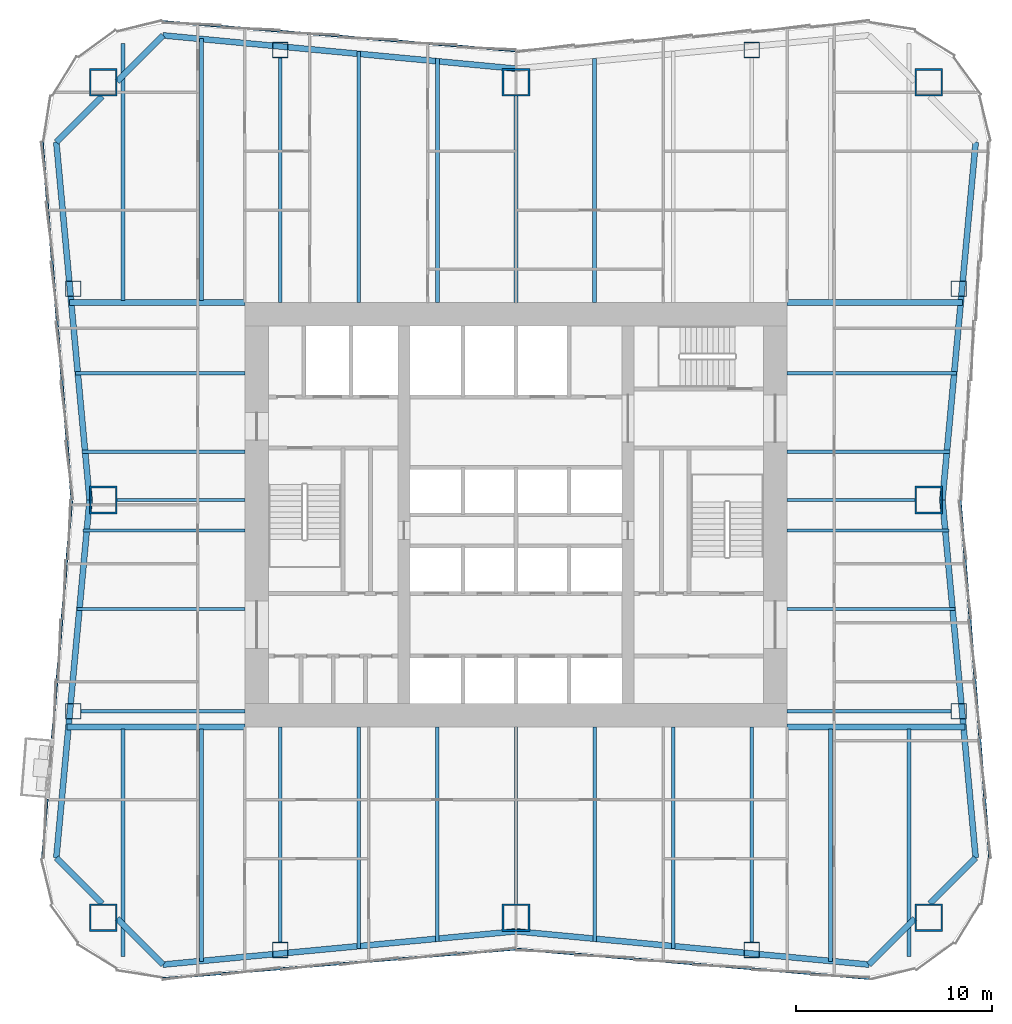
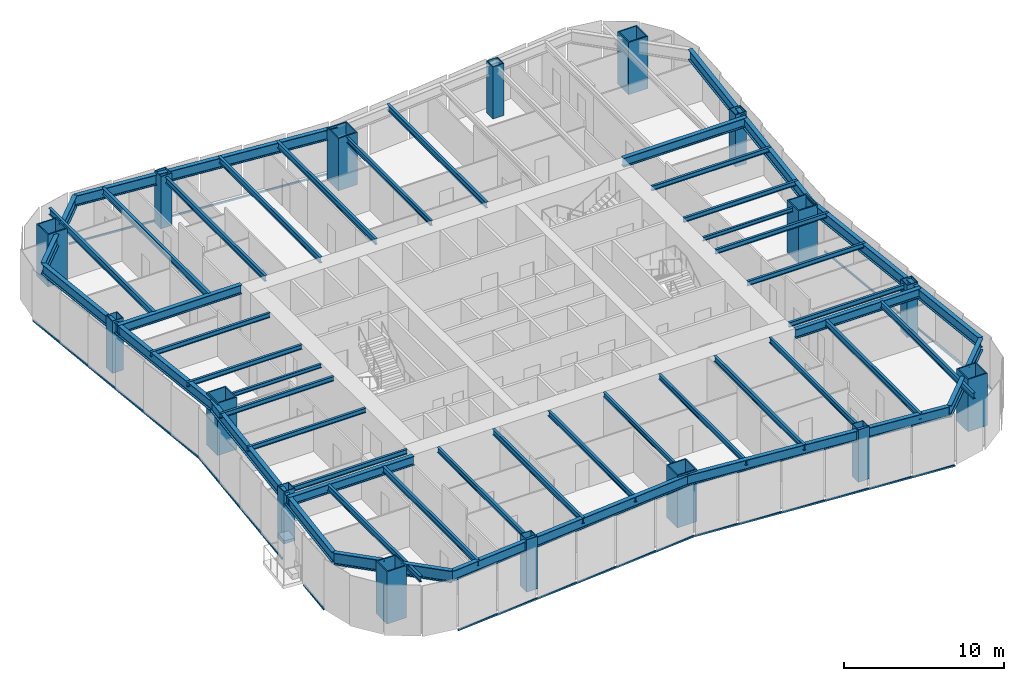
# One storey, part 1 of 9: 47 beams, 16 columns, 7 members, 4 elements without a shape of their own.
"""IFC4 building model written with IfcOpenShell, lengths in metres."""

from ifc_helpers import new_model, si_unit, direction, frame, origin, origin_2d, place, context, subcontext, project, spatial, rectangle, hollow_rectangle, i_section, extrude, material, material_profile, profile_set, type_object, element, aggregate, save


model = new_model("IFC4")

# Units and contexts
model_context = context("Model", 3, precision=1e-05, world=origin(), true_north=direction((0.0, 1.0)))
body_context = subcontext(model_context, "Body", "Model", "MODEL_VIEW")
ifc_project = project(units=[si_unit("LENGTHUNIT", "METRE"), si_unit("AREAUNIT", "SQUARE_METRE"), si_unit("VOLUMEUNIT", "CUBIC_METRE"), si_unit("PLANEANGLEUNIT", "RADIAN"), si_unit("MASSUNIT", "GRAM", prefix="KILO")], contexts=[model_context])

# Site, building, storey
site_placement = place(None, origin())
site = spatial("IfcSite", under=ifc_project, at=site_placement, CompositionType="ELEMENT")
building_placement = place(site_placement, origin())
building = spatial("IfcBuilding", under=site, at=building_placement, Name="Verdant Reach Tower", CompositionType="ELEMENT")
storey_placement = place(building_placement, frame((0.0, 0.0, 78.0)))
storey = spatial("IfcBuildingStorey", under=building, at=storey_placement, Name="L17", CompositionType="ELEMENT", Elevation=78.0)

# Columns
ifc_material_1 = material(Name="Steel S460", Category="steel")
ifc_material_profile_1 = material_profile(ifc_material_1, hollow_rectangle(XDim=1.39990234375, YDim=1.39990234375, WallThickness=0.080078125, at=origin_2d()), Name="WB 1400x1400x80")
ifc_profile_set_1 = profile_set([ifc_material_profile_1], Name="Steel S460")
column_type_1 = type_object("IfcColumnType", Name="ST-COL-WB1400x1400x80", PredefinedType="COLUMN", material=ifc_profile_set_1)
for number, where, z_axis, x_axis, name in (
    (1, (-21.0, 50.0, 0.0), (0.0, 0.0, 1.0), (1.0, 0.0, 0.0), "Mega column north-west, L17"),
    (2, (0.0, 50.0, 0.0), (0.0, 0.0, 1.0), (1.0, 0.0, 0.0), "Mega column north, L17"),
    (3, (21.0, 50.0, 0.0), (0.0, 0.0, 1.0), (1.0, 0.0, 0.0), "Mega column north-east, L17"),
    (4, (21.0, 28.75, 0.0), (0.0, 0.0, 1.0), (1.0, 0.0, 0.0), "Mega column east, L17"),
    (5, (21.0, 7.5, 0.0), (0.0, 0.0, 1.0), (1.0, 0.0, 0.0), "Mega column south-east, L17"),
    (6, (0.0, 7.5, 0.0), (0.0, 0.0, 1.0), (1.0, 0.0, 0.0), "Mega column south, L17"),
    (7, (-21.0, 7.5, 0.0), (0.0, 0.0, 1.0), (1.0, 0.0, 0.0), "Mega column south-west, L17"),
    (8, (-21.0, 28.75, 0.0), (0.0, 0.0, 1.0), (1.0, 0.0, 0.0), "Mega column west, L17"),
):
    element("IfcColumn", number, at=place(storey_placement, frame(where, z_axis=z_axis, x_axis=x_axis)), inside=storey, type_object=column_type_1, Name=name, PredefinedType="COLUMN", context=body_context, shape_type="SweptSolid", body=[
        extrude(hollow_rectangle(XDim=1.39990234375, YDim=1.39990234375, WallThickness=0.080078125, at=origin_2d()), origin(), (0.0, 0.0, 1.0), 4.0),
    ])
ifc_material_profile_2 = material_profile(ifc_material_1, hollow_rectangle(XDim=0.800048828125, YDim=0.800048828125, WallThickness=0.0400390625, at=origin_2d()), Name="WB 800x800x40")
ifc_profile_set_2 = profile_set([ifc_material_profile_2], Name="Steel S460")
column_type_2 = type_object("IfcColumnType", Name="ST-COL-WB800x800x40", PredefinedType="COLUMN", material=ifc_profile_set_2)
for number, where, z_axis, x_axis, name in (
    (9, (-12.0, 51.64990234375, 0.0), (0.0, 0.0, 1.0), (1.0, 0.0, 0.0), "Perimeter column north 1, L17"),
    (10, (12.0, 51.64990234375, 0.0), (0.0, 0.0, 1.0), (1.0, 0.0, 0.0), "Perimeter column north 2, L17"),
    (11, (-12.0, 5.85009765625, 0.0), (0.0, 0.0, 1.0), (1.0, 0.0, 0.0), "Perimeter column south 1, L17"),
    (12, (12.0, 5.85009765625, 0.0), (0.0, 0.0, 1.0), (1.0, 0.0, 0.0), "Perimeter column south 2, L17"),
    (13, (22.53369140625, 18.0, 0.0), (0.0, 0.0, 1.0), (1.0, 0.0, 0.0), "Perimeter column east 1, L17"),
    (14, (22.53369140625, 39.5, 0.0), (0.0, 0.0, 1.0), (1.0, 0.0, 0.0), "Perimeter column east 2, L17"),
    (15, (-22.53369140625, 18.0, 0.0), (0.0, 0.0, 1.0), (1.0, 0.0, 0.0), "Perimeter column west 1, L17"),
    (16, (-22.53369140625, 39.5, 0.0), (0.0, 0.0, 1.0), (1.0, 0.0, 0.0), "Perimeter column west 2, L17"),
):
    element("IfcColumn", number, at=place(storey_placement, frame(where, z_axis=z_axis, x_axis=x_axis)), inside=storey, type_object=column_type_2, Name=name, PredefinedType="COLUMN", context=body_context, shape_type="SweptSolid", body=[
        extrude(hollow_rectangle(XDim=0.800048828125, YDim=0.800048828125, WallThickness=0.0400390625, at=origin_2d()), origin(), (0.0, 0.0, 1.0), 4.0),
    ])

# Curtain wall, member
ifc_material_2 = material(Name="Anodised aluminium", Category="aluminium")
curtain_wall_type = type_object("IfcCurtainWallType", Name="EN-CW SYSTEM Z1", PredefinedType="NOTDEFINED", material=ifc_material_2)
curtain_wall_1_placement = place(storey_placement, origin())
curtain_wall_1 = element("IfcCurtainWall", 17, at=curtain_wall_1_placement, inside=storey, type_object=curtain_wall_type, Name="Curtain wall east, L17", PredefinedType="NOTDEFINED")
ifc_material_profile_3 = material_profile(ifc_material_2, rectangle(XDim=0.10009765625, YDim=0.1220703125, at=origin_2d()), Name="Transom 122x100")
ifc_profile_set_3 = profile_set([ifc_material_profile_3], Name="Anodised aluminium")
member_type = type_object("IfcMemberType", Name="EN-TRANSOM Z1", PredefinedType="USERDEFINED", material=ifc_profile_set_3)
member_1_placement = place(storey_placement, frame((24.100341796875, 10.52490234375, -0.2890625), z_axis=(-0.081886623329, 0.996641651207, 0.0), x_axis=(-0.996641651207, -0.081886623329, 0.0)))
member_1 = element("IfcMember", 18, at=member_1_placement, type_object=member_type, Name="Transom east face part 1 1.1, L17", ObjectType="TRANSOM", PredefinedType="USERDEFINED", context=body_context, shape_type="SweptSolid", body=[
    extrude(rectangle(XDim=0.10009765625, YDim=0.1220703125, at=origin_2d()), origin(), (0.0, 0.0, 1.0), 18.25537109375),
])
aggregate(curtain_wall_1, [member_1])

curtain_wall_2_placement = place(storey_placement, origin())
curtain_wall_2 = element("IfcCurtainWall", 19, at=curtain_wall_2_placement, inside=storey, type_object=curtain_wall_type, Name="Curtain wall north, L17", PredefinedType="NOTDEFINED")
member_2_placement = place(storey_placement, frame((-0.031005859375, 51.60546875, -0.2890625), z_axis=(-0.996547815143, 0.083020793384, 0.0), x_axis=(-0.083020793384, -0.996547815143, 0.0)))
member_2 = element("IfcMember", 20, at=member_2_placement, type_object=member_type, Name="Transom north face part 2 1.1, L17", ObjectType="TRANSOM", PredefinedType="USERDEFINED", context=body_context, shape_type="SweptSolid", body=[
    extrude(rectangle(XDim=0.10009765625, YDim=0.1220703125, at=origin_2d()), origin(), (0.0, 0.0, 1.0), 18.006103515625),
])
aggregate(curtain_wall_2, [member_2])

# Curtain wall, members
curtain_wall_3_placement = place(storey_placement, origin())
curtain_wall_3 = element("IfcCurtainWall", 21, at=curtain_wall_3_placement, inside=storey, type_object=curtain_wall_type, Name="Curtain wall west, L17", PredefinedType="NOTDEFINED")
member_3_placement = place(storey_placement, frame((-24.100341796875, 46.97509765625, -0.2890625), z_axis=(0.081886623329, -0.996641651207, 0.0), x_axis=(0.996641651207, 0.081886623329, 0.0)))
member_3 = element("IfcMember", 22, at=member_3_placement, type_object=member_type, Name="Transom west face part 1 1.1, L17", ObjectType="TRANSOM", PredefinedType="USERDEFINED", context=body_context, shape_type="SweptSolid", body=[
    extrude(rectangle(XDim=0.10009765625, YDim=0.1220703125, at=origin_2d()), origin(), (0.0, 0.0, 1.0), 18.25537109375),
])
member_4_placement = place(storey_placement, frame((-22.60546875, 28.718994140625, -0.2890625), z_axis=(-0.081948400518, -0.996636573507, 0.0), x_axis=(0.996636573507, -0.081948400518, 0.0)))
member_4 = element("IfcMember", 23, at=member_4_placement, type_object=member_type, Name="Transom west face part 2 1.1, L17", ObjectType="TRANSOM", PredefinedType="USERDEFINED", context=body_context, shape_type="SweptSolid", body=[
    extrude(rectangle(XDim=0.10009765625, YDim=0.1220703125, at=origin_2d()), origin(), (0.0, 0.0, 1.0), 12.13720703125),
])
member_5_placement = place(storey_placement, frame((-23.855224609375, 13.519287109375, -0.2890625), z_axis=(-0.081586055135, -0.996666301029, 0.0), x_axis=(0.996666301029, -0.081586055135, 0.0)))
member_5 = element("IfcMember", 24, at=member_5_placement, type_object=member_type, Name="Transom west face part 2 2.1, L17", ObjectType="TRANSOM", PredefinedType="USERDEFINED", context=body_context, shape_type="SweptSolid", body=[
    extrude(rectangle(XDim=0.10009765625, YDim=0.1220703125, at=origin_2d()), origin(), (0.0, 0.0, 1.0), 3.00439453125),
])
aggregate(curtain_wall_3, [member_3, member_4, member_5])

curtain_wall_4_placement = place(storey_placement, origin())
curtain_wall_4 = element("IfcCurtainWall", 25, at=curtain_wall_4_placement, inside=storey, type_object=curtain_wall_type, Name="Curtain wall south, L17", PredefinedType="NOTDEFINED")
member_6_placement = place(storey_placement, frame((-17.974853515625, 4.399658203125, -0.2890625), z_axis=(0.996547815143, 0.083020793384, 0.0), x_axis=(-0.083020793384, 0.996547815143, 0.0)))
member_6 = element("IfcMember", 26, at=member_6_placement, type_object=member_type, Name="Transom south face part 1 1.1, L17", ObjectType="TRANSOM", PredefinedType="USERDEFINED", context=body_context, shape_type="SweptSolid", body=[
    extrude(rectangle(XDim=0.10009765625, YDim=0.1220703125, at=origin_2d()), origin(), (0.0, 0.0, 1.0), 18.006103515625),
])
member_7_placement = place(storey_placement, frame((0.031005859375, 5.89453125, -0.2890625), z_axis=(0.996547815143, -0.083020793384, 0.0), x_axis=(0.083020793384, 0.996547815143, 0.0)))
member_7 = element("IfcMember", 27, at=member_7_placement, type_object=member_type, Name="Transom south face part 2 1.1, L17", ObjectType="TRANSOM", PredefinedType="USERDEFINED", context=body_context, shape_type="SweptSolid", body=[
    extrude(rectangle(XDim=0.10009765625, YDim=0.1220703125, at=origin_2d()), origin(), (0.0, 0.0, 1.0), 18.006103515625),
])
aggregate(curtain_wall_4, [member_6, member_7])

# Beams
ifc_material_3 = material(Name="Steel S355", Category="steel")
ifc_material_profile_4 = material_profile(ifc_material_3, i_section(OverallWidth=0.300048828125, OverallDepth=0.699951171875, WebThickness=0.01708984375, FlangeThickness=0.031982421875, FilletRadius=0.027099609375, at=origin_2d()), Name="HEB 700")
ifc_profile_set_4 = profile_set([ifc_material_profile_4], Name="Steel S355")
beam_type_1 = type_object("IfcBeamType", Name="ST-BEAM-HEB700", PredefinedType="BEAM", material=ifc_profile_set_4)
for number, where, z_axis, x_axis, name in (
    (28, (13.800048828125, 38.800048828125, 3.52001953125), (1.0, 0.0, 0.0), (0.0, 1.0, 0.0), "Trimmer beam, L17"),
    (29, (-13.800048828125, 38.800048828125, 3.52001953125), (-1.0, 0.0, 0.0), (0.0, -1.0, 0.0), "Trimmer beam, L17"),
):
    element("IfcBeam", number, at=place(storey_placement, frame(where, z_axis=z_axis, x_axis=x_axis)), inside=storey, type_object=beam_type_1, Name=name, PredefinedType="BEAM", context=body_context, shape_type="SweptSolid", body=[
        extrude(i_section(OverallWidth=0.300048828125, OverallDepth=0.699951171875, WebThickness=0.01708984375, FlangeThickness=0.031982421875, FilletRadius=0.027099609375, at=origin_2d()), origin(), (0.0, 0.0, 1.0), 8.924072265625),
    ])
for number, where, z_axis, x_axis, name in (
    (30, (13.800048828125, 17.199951171875, 3.52001953125), (1.0, 0.0, 0.0), (0.0, 1.0, 0.0), "Trimmer beam, L17"),
    (31, (-13.800048828125, 17.199951171875, 3.52001953125), (-1.0, 0.0, 0.0), (0.0, -1.0, 0.0), "Trimmer beam, L17"),
):
    element("IfcBeam", number, at=place(storey_placement, frame(where, z_axis=z_axis, x_axis=x_axis)), inside=storey, type_object=beam_type_1, Name=name, PredefinedType="BEAM", context=body_context, shape_type="SweptSolid", body=[
        extrude(i_section(OverallWidth=0.300048828125, OverallDepth=0.699951171875, WebThickness=0.01708984375, FlangeThickness=0.031982421875, FilletRadius=0.027099609375, at=origin_2d()), origin(), (0.0, 0.0, 1.0), 9.04736328125),
    ])
ifc_material_profile_5 = material_profile(ifc_material_3, i_section(OverallWidth=0.14990234375, OverallDepth=0.300048828125, WebThickness=0.007080078125, FlangeThickness=0.0107421875, FilletRadius=0.014892578125, at=origin_2d()), Name="IPE 300")
ifc_profile_set_5 = profile_set([ifc_material_profile_5], Name="Steel S355")
beam_type_2 = type_object("IfcBeamType", Name="ST-JOIST-IPE300", PredefinedType="JOIST", material=ifc_profile_set_5)
for number, where, z_axis, x_axis, name in (
    (32, (13.800048828125, 28.75, 3.719970703125), (1.0, 0.0, 0.0), (0.0, 1.0, 0.0), "Floor joist, L17"),
    (33, (-13.800048828125, 28.75, 3.719970703125), (-1.0, 0.0, 0.0), (0.0, -1.0, 0.0), "Floor joist, L17"),
):
    element("IfcBeam", number, at=place(storey_placement, frame(where, z_axis=z_axis, x_axis=x_axis)), inside=storey, type_object=beam_type_2, Name=name, PredefinedType="JOIST", context=body_context, shape_type="SweptSolid", body=[
        extrude(i_section(OverallWidth=0.14990234375, OverallDepth=0.300048828125, WebThickness=0.007080078125, FlangeThickness=0.0107421875, FilletRadius=0.014892578125, at=origin_2d()), origin(), (0.0, 0.0, 1.0), 6.5),
    ])
ifc_material_profile_6 = material_profile(ifc_material_3, i_section(OverallWidth=0.169921875, OverallDepth=0.360107421875, WebThickness=0.008056640625, FlangeThickness=0.0126953125, FilletRadius=0.01806640625, at=origin_2d()), Name="IPE 360")
ifc_profile_set_6 = profile_set([ifc_material_profile_6], Name="Steel S355")
beam_type_3 = type_object("IfcBeamType", Name="ST-JOIST-IPE360", PredefinedType="JOIST", material=ifc_profile_set_6)
beam_1_placement = place(storey_placement, frame((0.0, 17.199951171875, 3.68994140625), z_axis=(0.0, -1.0, 0.0), x_axis=(1.0, 0.0, 0.0)))
element("IfcBeam", 34, at=beam_1_placement, inside=storey, type_object=beam_type_3, Name="Floor joist, L17", PredefinedType="JOIST", context=body_context, shape_type="SweptSolid", body=[
    extrude(i_section(OverallWidth=0.169921875, OverallDepth=0.360107421875, WebThickness=0.008056640625, FlangeThickness=0.0126953125, FilletRadius=0.01806640625, at=origin_2d()), origin(), (0.0, 0.0, 1.0), 9.0),
])
for number, where, z_axis, x_axis, name in (
    (35, (13.800048828125, 18.0, 3.68994140625), (1.0, 0.0, 0.0), (0.0, 1.0, 0.0), "Floor joist, L17"),
    (36, (-13.800048828125, 18.0, 3.68994140625), (-1.0, 0.0, 0.0), (0.0, -1.0, 0.0), "Floor joist, L17"),
):
    element("IfcBeam", number, at=place(storey_placement, frame(where, z_axis=z_axis, x_axis=x_axis)), inside=storey, type_object=beam_type_3, Name=name, PredefinedType="JOIST", context=body_context, shape_type="SweptSolid", body=[
        extrude(i_section(OverallWidth=0.169921875, OverallDepth=0.360107421875, WebThickness=0.008056640625, FlangeThickness=0.0126953125, FilletRadius=0.01806640625, at=origin_2d()), origin(), (0.0, 0.0, 1.0), 8.33349609375),
    ])
for number, where, z_axis, x_axis, name in (
    (37, (13.800048828125, 23.199951171875, 3.68994140625), (1.0, 0.0, 0.0), (0.0, 1.0, 0.0), "Floor joist, L17"),
    (38, (-13.800048828125, 23.199951171875, 3.68994140625), (-1.0, 0.0, 0.0), (0.0, -1.0, 0.0), "Floor joist, L17"),
):
    element("IfcBeam", number, at=place(storey_placement, frame(where, z_axis=z_axis, x_axis=x_axis)), inside=storey, type_object=beam_type_3, Name=name, PredefinedType="JOIST", context=body_context, shape_type="SweptSolid", body=[
        extrude(i_section(OverallWidth=0.169921875, OverallDepth=0.360107421875, WebThickness=0.008056640625, FlangeThickness=0.0126953125, FilletRadius=0.01806640625, at=origin_2d()), origin(), (0.0, 0.0, 1.0), 8.553955078125),
    ])
for number, where, z_axis, x_axis, name in (
    (39, (13.800048828125, 27.199951171875, 3.68994140625), (1.0, 0.0, 0.0), (0.0, 1.0, 0.0), "Floor joist, L17"),
    (40, (-13.800048828125, 27.199951171875, 3.68994140625), (-1.0, 0.0, 0.0), (0.0, -1.0, 0.0), "Floor joist, L17"),
):
    element("IfcBeam", number, at=place(storey_placement, frame(where, z_axis=z_axis, x_axis=x_axis)), inside=storey, type_object=beam_type_3, Name=name, PredefinedType="JOIST", context=body_context, shape_type="SweptSolid", body=[
        extrude(i_section(OverallWidth=0.169921875, OverallDepth=0.360107421875, WebThickness=0.008056640625, FlangeThickness=0.0126953125, FilletRadius=0.01806640625, at=origin_2d()), origin(), (0.0, 0.0, 1.0), 8.225341796875),
    ])
for number, where, z_axis, x_axis, name in (
    (41, (13.800048828125, 31.199951171875, 3.68994140625), (1.0, 0.0, 0.0), (0.0, 1.0, 0.0), "Floor joist, L17"),
    (42, (-13.800048828125, 31.199951171875, 3.68994140625), (-1.0, 0.0, 0.0), (0.0, -1.0, 0.0), "Floor joist, L17"),
):
    element("IfcBeam", number, at=place(storey_placement, frame(where, z_axis=z_axis, x_axis=x_axis)), inside=storey, type_object=beam_type_3, Name=name, PredefinedType="JOIST", context=body_context, shape_type="SweptSolid", body=[
        extrude(i_section(OverallWidth=0.169921875, OverallDepth=0.360107421875, WebThickness=0.008056640625, FlangeThickness=0.0126953125, FilletRadius=0.01806640625, at=origin_2d()), origin(), (0.0, 0.0, 1.0), 8.29931640625),
    ])
for number, where, z_axis, x_axis, name in (
    (43, (13.800048828125, 35.199951171875, 3.68994140625), (1.0, 0.0, 0.0), (0.0, 1.0, 0.0), "Floor joist, L17"),
    (44, (-13.800048828125, 35.199951171875, 3.68994140625), (-1.0, 0.0, 0.0), (0.0, -1.0, 0.0), "Floor joist, L17"),
):
    element("IfcBeam", number, at=place(storey_placement, frame(where, z_axis=z_axis, x_axis=x_axis)), inside=storey, type_object=beam_type_3, Name=name, PredefinedType="JOIST", context=body_context, shape_type="SweptSolid", body=[
        extrude(i_section(OverallWidth=0.169921875, OverallDepth=0.360107421875, WebThickness=0.008056640625, FlangeThickness=0.0126953125, FilletRadius=0.01806640625, at=origin_2d()), origin(), (0.0, 0.0, 1.0), 8.6279296875),
    ])
ifc_material_profile_7 = material_profile(ifc_material_3, i_section(OverallWidth=0.179931640625, OverallDepth=0.39990234375, WebThickness=0.008544921875, FlangeThickness=0.013427734375, FilletRadius=0.02099609375, at=origin_2d()), Name="IPE 400")
ifc_profile_set_7 = profile_set([ifc_material_profile_7], Name="Steel S355")
beam_type_4 = type_object("IfcBeamType", Name="ST-JOIST-IPE400", PredefinedType="JOIST", material=ifc_profile_set_7)
beam_2_placement = place(storey_placement, frame((-12.0, 17.199951171875, 3.669921875), z_axis=(0.0, -1.0, 0.0), x_axis=(1.0, 0.0, 0.0)))
element("IfcBeam", 45, at=beam_2_placement, inside=storey, type_object=beam_type_4, Name="Floor joist, L17", PredefinedType="JOIST", context=body_context, shape_type="SweptSolid", body=[
    extrude(i_section(OverallWidth=0.179931640625, OverallDepth=0.39990234375, WebThickness=0.008544921875, FlangeThickness=0.013427734375, FilletRadius=0.02099609375, at=origin_2d()), origin(), (0.0, 0.0, 1.0), 10.949951171875),
])
beam_3_placement = place(storey_placement, frame((-4.0, 17.199951171875, 3.669921875), z_axis=(0.0, -1.0, 0.0), x_axis=(1.0, 0.0, 0.0)))
element("IfcBeam", 46, at=beam_3_placement, inside=storey, type_object=beam_type_4, Name="Floor joist, L17", PredefinedType="JOIST", context=body_context, shape_type="SweptSolid", body=[
    extrude(i_section(OverallWidth=0.179931640625, OverallDepth=0.39990234375, WebThickness=0.008544921875, FlangeThickness=0.013427734375, FilletRadius=0.02099609375, at=origin_2d()), origin(), (0.0, 0.0, 1.0), 10.93115234375),
])
beam_4_placement = place(storey_placement, frame((0.0, 38.800048828125, 3.669921875), z_axis=(0.0, 1.0, 0.0), x_axis=(-1.0, 0.0, 0.0)))
element("IfcBeam", 47, at=beam_4_placement, inside=storey, type_object=beam_type_4, Name="Floor joist, L17", PredefinedType="JOIST", context=body_context, shape_type="SweptSolid", body=[
    extrude(i_section(OverallWidth=0.179931640625, OverallDepth=0.39990234375, WebThickness=0.008544921875, FlangeThickness=0.013427734375, FilletRadius=0.02099609375, at=origin_2d()), origin(), (0.0, 0.0, 1.0), 10.5),
])
beam_5_placement = place(storey_placement, frame((4.0, 17.199951171875, 3.669921875), z_axis=(0.0, -1.0, 0.0), x_axis=(1.0, 0.0, 0.0)))
element("IfcBeam", 48, at=beam_5_placement, inside=storey, type_object=beam_type_4, Name="Floor joist, L17", PredefinedType="JOIST", context=body_context, shape_type="SweptSolid", body=[
    extrude(i_section(OverallWidth=0.179931640625, OverallDepth=0.39990234375, WebThickness=0.008544921875, FlangeThickness=0.013427734375, FilletRadius=0.02099609375, at=origin_2d()), origin(), (0.0, 0.0, 1.0), 10.93115234375),
])
beam_6_placement = place(storey_placement, frame((12.0, 17.199951171875, 3.669921875), z_axis=(0.0, -1.0, 0.0), x_axis=(1.0, 0.0, 0.0)))
element("IfcBeam", 49, at=beam_6_placement, inside=storey, type_object=beam_type_4, Name="Floor joist, L17", PredefinedType="JOIST", context=body_context, shape_type="SweptSolid", body=[
    extrude(i_section(OverallWidth=0.179931640625, OverallDepth=0.39990234375, WebThickness=0.008544921875, FlangeThickness=0.013427734375, FilletRadius=0.02099609375, at=origin_2d()), origin(), (0.0, 0.0, 1.0), 10.949951171875),
])
ifc_material_profile_8 = material_profile(ifc_material_3, i_section(OverallWidth=0.18994140625, OverallDepth=0.449951171875, WebThickness=0.009521484375, FlangeThickness=0.0146484375, FilletRadius=0.02099609375, at=origin_2d()), Name="IPE 450")
ifc_profile_set_8 = profile_set([ifc_material_profile_8], Name="Steel S355")
beam_type_5 = type_object("IfcBeamType", Name="ST-JOIST-IPE450", PredefinedType="JOIST", material=ifc_profile_set_8)
beam_7_placement = place(storey_placement, frame((-20.0, 17.10009765625, 3.64501953125), z_axis=(0.0, -1.0, 0.0), x_axis=(1.0, 0.0, 0.0)))
element("IfcBeam", 50, at=beam_7_placement, inside=storey, type_object=beam_type_5, Name="Floor joist, L17", PredefinedType="JOIST", context=body_context, shape_type="SweptSolid", body=[
    extrude(i_section(OverallWidth=0.18994140625, OverallDepth=0.449951171875, WebThickness=0.009521484375, FlangeThickness=0.0146484375, FilletRadius=0.02099609375, at=origin_2d()), origin(), (0.0, 0.0, 1.0), 11.590576171875),
])
beam_8_placement = place(storey_placement, frame((-16.0, 17.10009765625, 3.64501953125), z_axis=(0.0, -1.0, 0.0), x_axis=(1.0, 0.0, 0.0)))
element("IfcBeam", 51, at=beam_8_placement, inside=storey, type_object=beam_type_5, Name="Floor joist, L17", PredefinedType="JOIST", context=body_context, shape_type="SweptSolid", body=[
    extrude(i_section(OverallWidth=0.18994140625, OverallDepth=0.449951171875, WebThickness=0.009521484375, FlangeThickness=0.0146484375, FilletRadius=0.02099609375, at=origin_2d()), origin(), (0.0, 0.0, 1.0), 11.831298828125),
])
beam_9_placement = place(storey_placement, frame((-12.0, 38.800048828125, 3.64501953125), z_axis=(0.0, 1.0, 0.0), x_axis=(-1.0, 0.0, 0.0)))
element("IfcBeam", 52, at=beam_9_placement, inside=storey, type_object=beam_type_5, Name="Floor joist, L17", PredefinedType="JOIST", context=body_context, shape_type="SweptSolid", body=[
    extrude(i_section(OverallWidth=0.18994140625, OverallDepth=0.449951171875, WebThickness=0.009521484375, FlangeThickness=0.0146484375, FilletRadius=0.02099609375, at=origin_2d()), origin(), (0.0, 0.0, 1.0), 12.449951171875),
])
beam_10_placement = place(storey_placement, frame((-8.0, 38.800048828125, 3.64501953125), z_axis=(0.0, 1.0, 0.0), x_axis=(-1.0, 0.0, 0.0)))
element("IfcBeam", 53, at=beam_10_placement, inside=storey, type_object=beam_type_5, Name="Floor joist, L17", PredefinedType="JOIST", context=body_context, shape_type="SweptSolid", body=[
    extrude(i_section(OverallWidth=0.18994140625, OverallDepth=0.449951171875, WebThickness=0.009521484375, FlangeThickness=0.0146484375, FilletRadius=0.02099609375, at=origin_2d()), origin(), (0.0, 0.0, 1.0), 12.7646484375),
])
beam_11_placement = place(storey_placement, frame((-8.0, 17.199951171875, 3.64501953125), z_axis=(0.0, -1.0, 0.0), x_axis=(1.0, 0.0, 0.0)))
element("IfcBeam", 54, at=beam_11_placement, inside=storey, type_object=beam_type_5, Name="Floor joist, L17", PredefinedType="JOIST", context=body_context, shape_type="SweptSolid", body=[
    extrude(i_section(OverallWidth=0.18994140625, OverallDepth=0.449951171875, WebThickness=0.009521484375, FlangeThickness=0.0146484375, FilletRadius=0.02099609375, at=origin_2d()), origin(), (0.0, 0.0, 1.0), 11.2646484375),
])
for number, where, z_axis, x_axis, name in (
    (55, (-4.0, 38.800048828125, 3.64501953125), (0.0, 1.0, 0.0), (-1.0, 0.0, 0.0), "Floor joist, L17"),
    (56, (4.0, 38.800048828125, 3.64501953125), (0.0, 1.0, 0.0), (-1.0, 0.0, 0.0), "Floor joist, L17"),
):
    element("IfcBeam", number, at=place(storey_placement, frame(where, z_axis=z_axis, x_axis=x_axis)), inside=storey, type_object=beam_type_5, Name=name, PredefinedType="JOIST", context=body_context, shape_type="SweptSolid", body=[
        extrude(i_section(OverallWidth=0.18994140625, OverallDepth=0.449951171875, WebThickness=0.009521484375, FlangeThickness=0.0146484375, FilletRadius=0.02099609375, at=origin_2d()), origin(), (0.0, 0.0, 1.0), 12.43115234375),
    ])
beam_12_placement = place(storey_placement, frame((8.0, 17.199951171875, 3.64501953125), z_axis=(0.0, -1.0, 0.0), x_axis=(1.0, 0.0, 0.0)))
element("IfcBeam", 57, at=beam_12_placement, inside=storey, type_object=beam_type_5, Name="Floor joist, L17", PredefinedType="JOIST", context=body_context, shape_type="SweptSolid", body=[
    extrude(i_section(OverallWidth=0.18994140625, OverallDepth=0.449951171875, WebThickness=0.009521484375, FlangeThickness=0.0146484375, FilletRadius=0.02099609375, at=origin_2d()), origin(), (0.0, 0.0, 1.0), 11.2646484375),
])
beam_13_placement = place(storey_placement, frame((16.0, 17.10009765625, 3.64501953125), z_axis=(0.0, -1.0, 0.0), x_axis=(1.0, 0.0, 0.0)))
element("IfcBeam", 58, at=beam_13_placement, inside=storey, type_object=beam_type_5, Name="Floor joist, L17", PredefinedType="JOIST", context=body_context, shape_type="SweptSolid", body=[
    extrude(i_section(OverallWidth=0.18994140625, OverallDepth=0.449951171875, WebThickness=0.009521484375, FlangeThickness=0.0146484375, FilletRadius=0.02099609375, at=origin_2d()), origin(), (0.0, 0.0, 1.0), 11.831298828125),
])
beam_14_placement = place(storey_placement, frame((20.0, 17.10009765625, 3.64501953125), z_axis=(0.0, -1.0, 0.0), x_axis=(1.0, 0.0, 0.0)))
element("IfcBeam", 59, at=beam_14_placement, inside=storey, type_object=beam_type_5, Name="Floor joist, L17", PredefinedType="JOIST", context=body_context, shape_type="SweptSolid", body=[
    extrude(i_section(OverallWidth=0.18994140625, OverallDepth=0.449951171875, WebThickness=0.009521484375, FlangeThickness=0.0146484375, FilletRadius=0.02099609375, at=origin_2d()), origin(), (0.0, 0.0, 1.0), 11.590576171875),
])
ifc_material_profile_9 = material_profile(ifc_material_3, i_section(OverallWidth=0.199951171875, OverallDepth=0.5, WebThickness=0.01025390625, FlangeThickness=0.01611328125, FilletRadius=0.02099609375, at=origin_2d()), Name="IPE 500")
ifc_profile_set_9 = profile_set([ifc_material_profile_9], Name="Steel S355")
beam_type_6 = type_object("IfcBeamType", Name="ST-JOIST-IPE500", PredefinedType="JOIST", material=ifc_profile_set_9)
beam_15_placement = place(storey_placement, frame((-20.0, 38.89990234375, 3.6201171875), z_axis=(0.0, 1.0, 0.0), x_axis=(-1.0, 0.0, 0.0)))
element("IfcBeam", 60, at=beam_15_placement, inside=storey, type_object=beam_type_6, Name="Floor joist, L17", PredefinedType="JOIST", context=body_context, shape_type="SweptSolid", body=[
    extrude(i_section(OverallWidth=0.199951171875, OverallDepth=0.5, WebThickness=0.01025390625, FlangeThickness=0.01611328125, FilletRadius=0.02099609375, at=origin_2d()), origin(), (0.0, 0.0, 1.0), 13.090576171875),
])
beam_16_placement = place(storey_placement, frame((-16.0, 38.89990234375, 3.6201171875), z_axis=(0.0, 1.0, 0.0), x_axis=(-1.0, 0.0, 0.0)))
element("IfcBeam", 61, at=beam_16_placement, inside=storey, type_object=beam_type_6, Name="Floor joist, L17", PredefinedType="JOIST", context=body_context, shape_type="SweptSolid", body=[
    extrude(i_section(OverallWidth=0.199951171875, OverallDepth=0.5, WebThickness=0.01025390625, FlangeThickness=0.01611328125, FilletRadius=0.02099609375, at=origin_2d()), origin(), (0.0, 0.0, 1.0), 13.331298828125),
])
ifc_material_profile_10 = material_profile(ifc_material_3, i_section(OverallWidth=0.300048828125, OverallDepth=0.800048828125, WebThickness=0.017578125, FlangeThickness=0.032958984375, FilletRadius=0.030029296875, at=origin_2d()), Name="HEB 800")
ifc_profile_set_10 = profile_set([ifc_material_profile_10], Name="Steel S355")
beam_type_7 = type_object("IfcBeamType", Name="ST-SPANDREL-HEB800", PredefinedType="SPANDREL", material=ifc_profile_set_10)
for number, where, z_axis, x_axis, name in (
    (62, (17.9658203125, 5.10498046875, 3.469970703125), (-0.995578571765, 0.093932462137, 0.0), (-0.093932462137, -0.995578571765, 0.0), "Edge beam, L17"),
    (63, (0.0, 6.800048828125, 3.469970703125), (-0.995578571765, -0.093932462137, 0.0), (0.093932462137, -0.995578571765, 0.0), "Edge beam, L17"),
):
    element("IfcBeam", number, at=place(storey_placement, frame(where, z_axis=z_axis, x_axis=x_axis)), inside=storey, type_object=beam_type_7, Name=name, PredefinedType="SPANDREL", context=body_context, shape_type="SweptSolid", body=[
        extrude(i_section(OverallWidth=0.300048828125, OverallDepth=0.800048828125, WebThickness=0.017578125, FlangeThickness=0.032958984375, FilletRadius=0.030029296875, at=origin_2d()), origin(), (0.0, 0.0, 1.0), 18.045654296875),
    ])
for number, where, z_axis, x_axis, name in (
    (64, (-23.39501953125, 10.53466796875, 3.469970703125), (0.092656907618, 0.995698095544, 0.0), (-0.995698095544, 0.092656907618, 0.0), "Edge beam, L17"),
    (65, (-21.699951171875, 28.75, 3.469970703125), (-0.092656907618, 0.995698095544, 0.0), (-0.995698095544, -0.092656907618, 0.0), "Edge beam, L17"),
):
    element("IfcBeam", number, at=place(storey_placement, frame(where, z_axis=z_axis, x_axis=x_axis)), inside=storey, type_object=beam_type_7, Name=name, PredefinedType="SPANDREL", context=body_context, shape_type="SweptSolid", body=[
        extrude(i_section(OverallWidth=0.300048828125, OverallDepth=0.800048828125, WebThickness=0.017578125, FlangeThickness=0.032958984375, FilletRadius=0.030029296875, at=origin_2d()), origin(), (0.0, 0.0, 1.0), 18.2939453125),
    ])
beam_17_placement = place(storey_placement, frame((-17.9658203125, 52.39501953125, 3.469970703125), z_axis=(0.995578571765, -0.093932462137, 0.0), x_axis=(0.093932462137, 0.995578571765, 0.0)))
element("IfcBeam", 66, at=beam_17_placement, inside=storey, type_object=beam_type_7, Name="Edge beam, L17", PredefinedType="SPANDREL", context=body_context, shape_type="SweptSolid", body=[
    extrude(i_section(OverallWidth=0.300048828125, OverallDepth=0.800048828125, WebThickness=0.017578125, FlangeThickness=0.032958984375, FilletRadius=0.030029296875, at=origin_2d()), origin(), (0.0, 0.0, 1.0), 18.045654296875),
])
for number, where, z_axis, x_axis, name in (
    (67, (23.39501953125, 46.96533203125, 3.469970703125), (-0.092656907618, -0.995698095544, 0.0), (0.995698095544, -0.092656907618, 0.0), "Edge beam, L17"),
    (68, (21.699951171875, 28.75, 3.469970703125), (0.092656907618, -0.995698095544, 0.0), (0.995698095544, 0.092656907618, 0.0), "Edge beam, L17"),
):
    element("IfcBeam", number, at=place(storey_placement, frame(where, z_axis=z_axis, x_axis=x_axis)), inside=storey, type_object=beam_type_7, Name=name, PredefinedType="SPANDREL", context=body_context, shape_type="SweptSolid", body=[
        extrude(i_section(OverallWidth=0.300048828125, OverallDepth=0.800048828125, WebThickness=0.017578125, FlangeThickness=0.032958984375, FilletRadius=0.030029296875, at=origin_2d()), origin(), (0.0, 0.0, 1.0), 18.2939453125),
    ])
ifc_material_profile_11 = material_profile(ifc_material_3, i_section(OverallWidth=0.302001953125, OverallDepth=0.909912109375, WebThickness=0.02099609375, FlangeThickness=0.0400390625, FilletRadius=0.030029296875, at=origin_2d()), Name="HEM 900")
ifc_profile_set_11 = profile_set([ifc_material_profile_11], Name="Steel S355")
beam_type_8 = type_object("IfcBeamType", Name="ST-SPANDREL-HEM900", PredefinedType="SPANDREL", material=ifc_profile_set_11)
beam_18_placement = place(storey_placement, frame((-17.9658203125, 5.10498046875, 3.4150390625), z_axis=(-0.707106781187, 0.707106781187, 0.0), x_axis=(-0.707106781187, -0.707106781187, 0.0)))
element("IfcBeam", 69, at=beam_18_placement, inside=storey, type_object=beam_type_8, Name="Edge beam, L17", PredefinedType="SPANDREL", context=body_context, shape_type="SweptSolid", body=[
    extrude(i_section(OverallWidth=0.302001953125, OverallDepth=0.909912109375, WebThickness=0.02099609375, FlangeThickness=0.0400390625, FilletRadius=0.030029296875, at=origin_2d()), origin(), (0.0, 0.0, 1.0), 3.301025390625),
])
for number, where, z_axis, x_axis, name in (
    (70, (-21.060546875, 8.199951171875, 3.4150390625), (-0.707069807316, 0.707143753123, 0.0), (-0.707143753123, -0.707069807316, 0.0), "Edge beam, L17"),
    (71, (-23.39501953125, 46.96533203125, 3.4150390625), (0.707069807316, 0.707143753123, 0.0), (-0.707143753123, 0.707069807316, 0.0), "Edge beam, L17"),
):
    element("IfcBeam", number, at=place(storey_placement, frame(where, z_axis=z_axis, x_axis=x_axis)), inside=storey, type_object=beam_type_8, Name=name, PredefinedType="SPANDREL", context=body_context, shape_type="SweptSolid", body=[
        extrude(i_section(OverallWidth=0.302001953125, OverallDepth=0.909912109375, WebThickness=0.02099609375, FlangeThickness=0.0400390625, FilletRadius=0.030029296875, at=origin_2d()), origin(), (0.0, 0.0, 1.0), 3.301513671875),
    ])
beam_19_placement = place(storey_placement, frame((-20.300048828125, 50.060791015625, 3.4150390625), z_axis=(0.707106781187, 0.707106781187, 0.0), x_axis=(-0.707106781187, 0.707106781187, 0.0)))
element("IfcBeam", 72, at=beam_19_placement, inside=storey, type_object=beam_type_8, Name="Edge beam, L17", PredefinedType="SPANDREL", context=body_context, shape_type="SweptSolid", body=[
    extrude(i_section(OverallWidth=0.302001953125, OverallDepth=0.909912109375, WebThickness=0.02099609375, FlangeThickness=0.0400390625, FilletRadius=0.030029296875, at=origin_2d()), origin(), (0.0, 0.0, 1.0), 3.301025390625),
])
beam_20_placement = place(storey_placement, frame((23.39501953125, 10.53466796875, 3.4150390625), z_axis=(-0.707069807316, -0.707143753123, 0.0), x_axis=(0.707143753123, -0.707069807316, 0.0)))
element("IfcBeam", 73, at=beam_20_placement, inside=storey, type_object=beam_type_8, Name="Edge beam, L17", PredefinedType="SPANDREL", context=body_context, shape_type="SweptSolid", body=[
    extrude(i_section(OverallWidth=0.302001953125, OverallDepth=0.909912109375, WebThickness=0.02099609375, FlangeThickness=0.0400390625, FilletRadius=0.030029296875, at=origin_2d()), origin(), (0.0, 0.0, 1.0), 3.301513671875),
])
beam_21_placement = place(storey_placement, frame((20.300048828125, 7.439208984375, 3.4150390625), z_axis=(-0.707106781187, -0.707106781187, 0.0), x_axis=(0.707106781187, -0.707106781187, 0.0)))
element("IfcBeam", 74, at=beam_21_placement, inside=storey, type_object=beam_type_8, Name="Edge beam, L17", PredefinedType="SPANDREL", context=body_context, shape_type="SweptSolid", body=[
    extrude(i_section(OverallWidth=0.302001953125, OverallDepth=0.909912109375, WebThickness=0.02099609375, FlangeThickness=0.0400390625, FilletRadius=0.030029296875, at=origin_2d()), origin(), (0.0, 0.0, 1.0), 3.301025390625),
])

save(model, "model.ifc")
